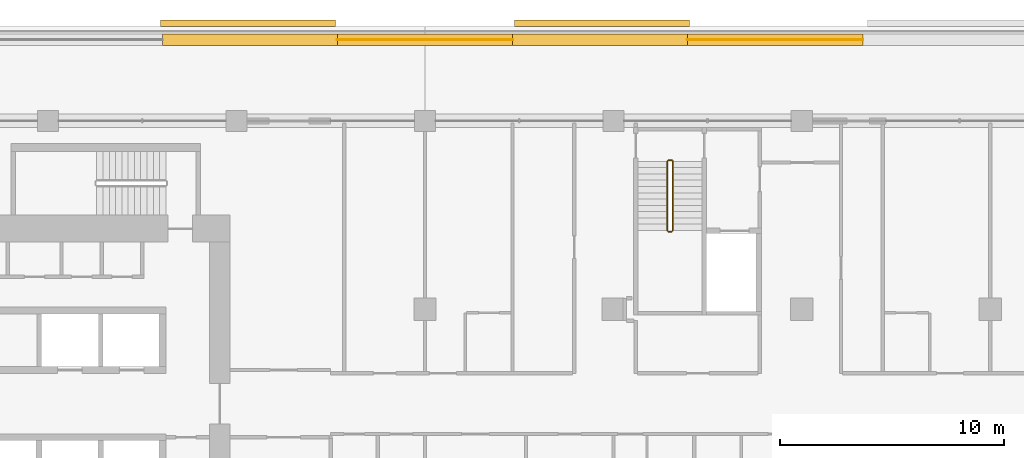
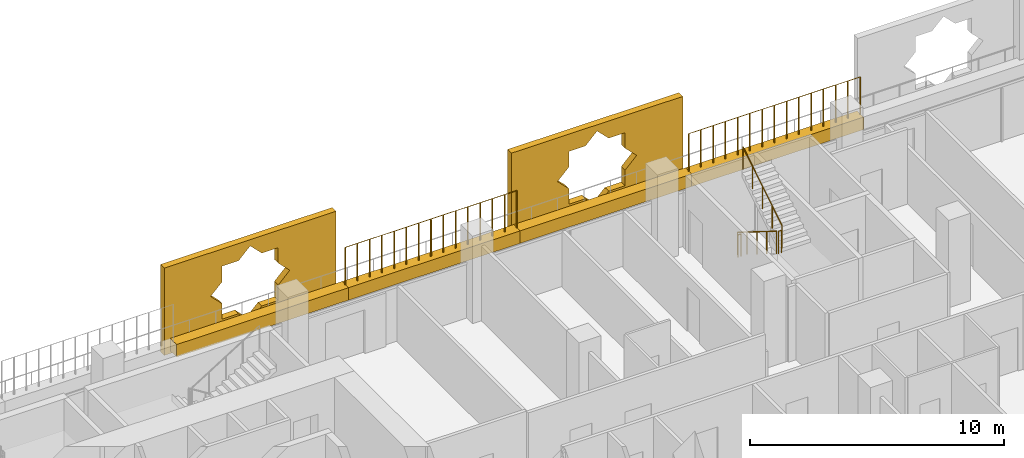
# One storey, part 21 of 22: 6 coverings, 6 railings.
"""IFC4 building model written with IfcOpenShell, lengths in metres."""

from ifc_helpers import new_model, si_unit, direction, frame, origin, origin_2d, place, context, subcontext, project, spatial, polyline, rectangle, circle, outline, extrude, material, material_profile, profile_set, type_object, element, save


model = new_model("IFC4")

# Units and contexts
model_context = context("Model", 3, precision=1e-05, world=origin(), true_north=direction((0.0, 1.0)))
body_context = subcontext(model_context, "Body", "Model", "MODEL_VIEW")
ifc_project = project(units=[si_unit("LENGTHUNIT", "METRE"), si_unit("AREAUNIT", "SQUARE_METRE"), si_unit("VOLUMEUNIT", "CUBIC_METRE"), si_unit("PLANEANGLEUNIT", "RADIAN"), si_unit("MASSUNIT", "GRAM", prefix="KILO")], contexts=[model_context])

# Site, building, storey
site_placement = place(None, origin())
site = spatial("IfcSite", under=ifc_project, at=site_placement, CompositionType="ELEMENT")
building_placement = place(site_placement, origin())
building = spatial("IfcBuilding", under=site, at=building_placement, Name="Kawkab Arch Medical Tower", CompositionType="ELEMENT")
storey_placement = place(building_placement, frame((0.0, 0.0, 196.199951171875)))
storey = spatial("IfcBuildingStorey", under=building, at=storey_placement, Name="L45", CompositionType="ELEMENT", Elevation=196.199951171875)

# Coverings
ifc_material_1 = material(Name="Bronze anodised aluminium mashrabiya panel, eight-point star pattern", Category="aluminium")
ifc_material_profile_1 = material_profile(ifc_material_1, outline(polyline([(-3.89990234375, -2.10009765625), (3.89990234375, -2.10009765625), (3.89990234375, 2.10009765625), (-3.89990234375, 2.10009765625), (-3.89990234375, -2.10009765625)]), holes=[polyline([(1.800048828125, 0.0), (1.272705078125, 0.527099609375), (1.272705078125, 1.272705078125), (0.527099609375, 1.272705078125), (0.0, 1.800048828125), (-0.527099609375, 1.272705078125), (-1.272705078125, 1.272705078125), (-1.272705078125, 0.527099609375), (-1.800048828125, 0.0), (-1.272705078125, -0.527099609375), (-1.272705078125, -1.272705078125), (-0.527099609375, -1.272705078125), (0.0, -1.800048828125), (0.527099609375, -1.272705078125), (1.272705078125, -1.272705078125), (1.272705078125, -0.527099609375), (1.800048828125, 0.0)])]), Name="Mashrabiya panel 7800x4200")
ifc_profile_set_1 = profile_set([ifc_material_profile_1], Name="Bronze anodised aluminium mashrabiya panel, eight-point star pattern")
covering_type_1 = type_object("IfcCoveringType", Name="Mashrabiya panel 7800 x 4200", PredefinedType="USERDEFINED", material=ifc_profile_set_1)
for number, where, z_axis, x_axis, name in (
    (1, (25.7158203125, 4.199951171875, 1.699951171875), (0.0, 1.0, 0.0), (-1.0, 0.0, 0.0), "Mashrabiya panel L45.LOG-01-01.6"),
    (2, (41.484375, 4.199951171875, 1.699951171875), (0.0, 1.0, 0.0), (-1.0, 0.0, 0.0), "Mashrabiya panel L45.LOG-01-01.7"),
):
    element("IfcCovering", number, at=place(storey_placement, frame(where, z_axis=z_axis, x_axis=x_axis)), inside=storey, type_object=covering_type_1, Name=name, ObjectType="SCREEN", PredefinedType="USERDEFINED", context=body_context, shape_type="SweptSolid", body=[
        extrude(outline(polyline([(-3.89990234375, -2.10009765625), (3.89990234375, -2.10009765625), (3.89990234375, 2.10009765625), (-3.89990234375, 2.10009765625), (-3.89990234375, -2.10009765625)]), holes=[polyline([(1.800048828125, 0.0), (1.272705078125, 0.527099609375), (1.272705078125, 1.272705078125), (0.527099609375, 1.272705078125), (0.0, 1.800048828125), (-0.527099609375, 1.272705078125), (-1.272705078125, 1.272705078125), (-1.272705078125, 0.527099609375), (-1.800048828125, 0.0), (-1.272705078125, -0.527099609375), (-1.272705078125, -1.272705078125), (-0.527099609375, -1.272705078125), (0.0, -1.800048828125), (0.527099609375, -1.272705078125), (1.272705078125, -1.272705078125), (1.272705078125, -0.527099609375), (1.800048828125, 0.0)])]), origin(), (0.0, 0.0, 1.0), 0.300048828125),
    ])
ifc_material_2 = material(Name="Planting soil in a precast trough", Category="concrete")
ifc_material_profile_2 = material_profile(ifc_material_2, rectangle(XDim=0.5, YDim=0.60009765625, at=origin_2d()), Name="Trough 500x600")
ifc_profile_set_2 = profile_set([ifc_material_profile_2], Name="Planting soil in a precast trough")
covering_type_2 = type_object("IfcCoveringType", Name="Planter trough 500 x 600", PredefinedType="USERDEFINED", material=ifc_profile_set_2)
covering_1_placement = place(storey_placement, frame((21.89306640625, 3.6201171875, 0.300048828125), z_axis=(1.0, 0.0, 0.0), x_axis=(0.0, 1.0, 0.0)))
element("IfcCovering", 3, at=covering_1_placement, inside=storey, type_object=covering_type_2, Name="Planter L45.LOG-01-01.20", ObjectType="PLANTER", PredefinedType="USERDEFINED", context=body_context, shape_type="SweptSolid", body=[
    extrude(rectangle(XDim=0.5, YDim=0.60009765625, at=origin_2d()), origin(), (0.0, 0.0, 1.0), 7.804931640625),
])
covering_2_placement = place(storey_placement, frame((29.697998046875, 3.6201171875, 0.300048828125), z_axis=(1.0, 0.0, 0.0), x_axis=(0.0, 1.0, 0.0)))
element("IfcCovering", 4, at=covering_2_placement, inside=storey, type_object=covering_type_2, Name="Planter L45.LOG-01-01.21", ObjectType="PLANTER", PredefinedType="USERDEFINED", context=body_context, shape_type="SweptSolid", body=[
    extrude(rectangle(XDim=0.5, YDim=0.60009765625, at=origin_2d()), origin(), (0.0, 0.0, 1.0), 7.803955078125),
])
covering_3_placement = place(storey_placement, frame((37.501953125, 3.6201171875, 0.300048828125), z_axis=(1.0, 0.0, 0.0), x_axis=(0.0, 1.0, 0.0)))
element("IfcCovering", 5, at=covering_3_placement, inside=storey, type_object=covering_type_2, Name="Planter L45.LOG-01-01.22", ObjectType="PLANTER", PredefinedType="USERDEFINED", context=body_context, shape_type="SweptSolid", body=[
    extrude(rectangle(XDim=0.5, YDim=0.60009765625, at=origin_2d()), origin(), (0.0, 0.0, 1.0), 7.804931640625),
])
covering_4_placement = place(storey_placement, frame((45.306884765625, 3.6201171875, 0.300048828125), z_axis=(1.0, 0.0, 0.0), x_axis=(0.0, 1.0, 0.0)))
element("IfcCovering", 6, at=covering_4_placement, inside=storey, type_object=covering_type_2, Name="Planter L45.LOG-01-01.23", ObjectType="PLANTER", PredefinedType="USERDEFINED", context=body_context, shape_type="SweptSolid", body=[
    extrude(rectangle(XDim=0.5, YDim=0.60009765625, at=origin_2d()), origin(), (0.0, 0.0, 1.0), 7.80517578125),
])

# Railings
ifc_material_3 = material(Name="Bronze anodised aluminium trellis for climbing plants", Category="aluminium")
railing_type_1 = type_object("IfcRailingType", Name="Planting trellis 2400", PredefinedType="USERDEFINED", material=ifc_material_3)
railing_1_placement = place(storey_placement, frame((29.697998046875, 3.6201171875, 0.0)))
element("IfcRailing", 7, at=railing_1_placement, inside=storey, type_object=railing_type_1, Name="Planting trellis L45.LOG-01-01.21", ObjectType="TRELLIS", PredefinedType="USERDEFINED", context=body_context, shape_type="SweptSolid", body=[
    extrude(circle(Radius=0.01513671875, at=origin_2d()), frame((0.0, 0.0, 2.384765625), z_axis=(1.0, 0.0, 0.0), x_axis=(0.0, 1.0, 0.0)), (0.0, 0.0, 1.0), 7.803955078125),
    extrude(circle(Radius=0.030029296875, at=origin_2d()), origin(), (0.0, 0.0, 1.0), 2.369873046875),
    extrude(circle(Radius=0.030029296875, at=origin_2d()), frame((0.557373046875, 0.0, 0.0)), (0.0, 0.0, 1.0), 2.369873046875),
    extrude(circle(Radius=0.030029296875, at=origin_2d()), frame((1.11474609375, 0.0, 0.0)), (0.0, 0.0, 1.0), 2.369873046875),
    extrude(circle(Radius=0.030029296875, at=origin_2d()), frame((1.67236328125, 0.0, 0.0)), (0.0, 0.0, 1.0), 2.369873046875),
    extrude(circle(Radius=0.030029296875, at=origin_2d()), frame((2.229736328125, 0.0, 0.0)), (0.0, 0.0, 1.0), 2.369873046875),
    extrude(circle(Radius=0.030029296875, at=origin_2d()), frame((2.787109375, 0.0, 0.0)), (0.0, 0.0, 1.0), 2.369873046875),
    extrude(circle(Radius=0.030029296875, at=origin_2d()), frame((3.344482421875, 0.0, 0.0)), (0.0, 0.0, 1.0), 2.369873046875),
    extrude(circle(Radius=0.030029296875, at=origin_2d()), frame((3.90185546875, 0.0, 0.0)), (0.0, 0.0, 1.0), 2.369873046875),
    extrude(circle(Radius=0.030029296875, at=origin_2d()), frame((4.45947265625, 0.0, 0.0)), (0.0, 0.0, 1.0), 2.369873046875),
    extrude(circle(Radius=0.030029296875, at=origin_2d()), frame((5.016845703125, 0.0, 0.0)), (0.0, 0.0, 1.0), 2.369873046875),
    extrude(circle(Radius=0.030029296875, at=origin_2d()), frame((5.57421875, 0.0, 0.0)), (0.0, 0.0, 1.0), 2.369873046875),
    extrude(circle(Radius=0.030029296875, at=origin_2d()), frame((6.131591796875, 0.0, 0.0)), (0.0, 0.0, 1.0), 2.369873046875),
    extrude(circle(Radius=0.030029296875, at=origin_2d()), frame((6.689208984375, 0.0, 0.0)), (0.0, 0.0, 1.0), 2.369873046875),
    extrude(circle(Radius=0.030029296875, at=origin_2d()), frame((7.24658203125, 0.0, 0.0)), (0.0, 0.0, 1.0), 2.369873046875),
    extrude(circle(Radius=0.030029296875, at=origin_2d()), frame((7.803955078125, 0.0, 0.0)), (0.0, 0.0, 1.0), 2.369873046875),
])
railing_2_placement = place(storey_placement, frame((45.306884765625, 3.6201171875, 0.0)))
element("IfcRailing", 8, at=railing_2_placement, inside=storey, type_object=railing_type_1, Name="Planting trellis L45.LOG-01-01.23", ObjectType="TRELLIS", PredefinedType="USERDEFINED", context=body_context, shape_type="SweptSolid", body=[
    extrude(circle(Radius=0.01513671875, at=origin_2d()), frame((0.0, 0.0, 2.384765625), z_axis=(1.0, 0.0, 0.0), x_axis=(0.0, 1.0, 0.0)), (0.0, 0.0, 1.0), 7.80517578125),
    extrude(circle(Radius=0.030029296875, at=origin_2d()), origin(), (0.0, 0.0, 1.0), 2.369873046875),
    extrude(circle(Radius=0.030029296875, at=origin_2d()), frame((0.5576171875, 0.0, 0.0)), (0.0, 0.0, 1.0), 2.369873046875),
    extrude(circle(Radius=0.030029296875, at=origin_2d()), frame((1.114990234375, 0.0, 0.0)), (0.0, 0.0, 1.0), 2.369873046875),
    extrude(circle(Radius=0.030029296875, at=origin_2d()), frame((1.672607421875, 0.0, 0.0)), (0.0, 0.0, 1.0), 2.369873046875),
    extrude(circle(Radius=0.030029296875, at=origin_2d()), frame((2.22998046875, 0.0, 0.0)), (0.0, 0.0, 1.0), 2.369873046875),
    extrude(circle(Radius=0.030029296875, at=origin_2d()), frame((2.78759765625, 0.0, 0.0)), (0.0, 0.0, 1.0), 2.369873046875),
    extrude(circle(Radius=0.030029296875, at=origin_2d()), frame((3.344970703125, 0.0, 0.0)), (0.0, 0.0, 1.0), 2.369873046875),
    extrude(circle(Radius=0.030029296875, at=origin_2d()), frame((3.902587890625, 0.0, 0.0)), (0.0, 0.0, 1.0), 2.369873046875),
    extrude(circle(Radius=0.030029296875, at=origin_2d()), frame((4.460205078125, 0.0, 0.0)), (0.0, 0.0, 1.0), 2.369873046875),
    extrude(circle(Radius=0.030029296875, at=origin_2d()), frame((5.017578125, 0.0, 0.0)), (0.0, 0.0, 1.0), 2.369873046875),
    extrude(circle(Radius=0.030029296875, at=origin_2d()), frame((5.5751953125, 0.0, 0.0)), (0.0, 0.0, 1.0), 2.369873046875),
    extrude(circle(Radius=0.030029296875, at=origin_2d()), frame((6.132568359375, 0.0, 0.0)), (0.0, 0.0, 1.0), 2.369873046875),
    extrude(circle(Radius=0.030029296875, at=origin_2d()), frame((6.690185546875, 0.0, 0.0)), (0.0, 0.0, 1.0), 2.369873046875),
    extrude(circle(Radius=0.030029296875, at=origin_2d()), frame((7.24755859375, 0.0, 0.0)), (0.0, 0.0, 1.0), 2.369873046875),
    extrude(circle(Radius=0.030029296875, at=origin_2d()), frame((7.80517578125, 0.0, 0.0)), (0.0, 0.0, 1.0), 2.369873046875),
])
ifc_material_4 = material(Name="Stainless steel", Category="steel")
railing_type_2 = type_object("IfcRailingType", Name="Stair guard 1100", PredefinedType="GUARDRAIL", material=ifc_material_4)
railing_3_placement = place(storey_placement, frame((44.39990234375, -1.800048828125, 0.175048828125)))
element("IfcRailing", 9, at=railing_3_placement, inside=storey, type_object=railing_type_2, Name="L45 ST5 stair guard 1", PredefinedType="GUARDRAIL", context=body_context, shape_type="SweptSolid", body=[
    extrude(circle(Radius=0.02392578125, at=origin_2d()), frame((0.0, 0.0, 1.076171875), z_axis=(0.0, -0.847979421464, 0.530029150871), x_axis=(1.0, 0.0, 0.0)), (0.0, 0.0, 1.0), 3.632080078125),
    extrude(circle(Radius=0.02099609375, at=origin_2d()), origin(), (0.0, 0.0, 1.0), 1.052001953125),
    extrude(circle(Radius=0.02099609375, at=origin_2d()), frame((0.0, -0.77001953125, 0.481201171875)), (0.0, 0.0, 1.0), 1.052001953125),
    extrude(circle(Radius=0.02099609375, at=origin_2d()), frame((0.0, -1.5400390625, 0.96240234375)), (0.0, 0.0, 1.0), 1.052001953125),
    extrude(circle(Radius=0.02099609375, at=origin_2d()), frame((0.0, -2.309814453125, 1.44384765625)), (0.0, 0.0, 1.0), 1.052001953125),
    extrude(circle(Radius=0.02099609375, at=origin_2d()), frame((0.0, -3.079833984375, 1.925048828125)), (0.0, 0.0, 1.0), 1.052001953125),
])
railing_4_placement = place(storey_placement, frame((44.449951171875, -4.929931640625, 2.10009765625)))
element("IfcRailing", 10, at=railing_4_placement, inside=storey, type_object=railing_type_2, Name="L45 ST5 stair guard 2", PredefinedType="GUARDRAIL", context=body_context, shape_type="SweptSolid", body=[
    extrude(circle(Radius=0.02392578125, at=origin_2d()), frame((0.0, 0.0, 1.076171875), z_axis=(1.0, 0.0, 0.0), x_axis=(0.0, 1.0, 0.0)), (0.0, 0.0, 1.0), 0.150146484375),
    extrude(circle(Radius=0.02099609375, at=origin_2d()), origin(), (0.0, 0.0, 1.0), 1.052001953125),
    extrude(circle(Radius=0.02099609375, at=origin_2d()), frame((0.150146484375, 0.0, 0.0)), (0.0, 0.0, 1.0), 1.052001953125),
])
railing_5_placement = place(storey_placement, frame((44.64990234375, -4.8798828125, 2.275146484375)))
element("IfcRailing", 11, at=railing_5_placement, inside=storey, type_object=railing_type_2, Name="L45 ST5 stair guard 3", PredefinedType="GUARDRAIL", context=body_context, shape_type="SweptSolid", body=[
    extrude(circle(Radius=0.02392578125, at=origin_2d()), frame((0.0, 0.0, 1.076171875), z_axis=(0.0, 0.848009633417, 0.529980812513), x_axis=(-1.0, 0.0, 0.0)), (0.0, 0.0, 1.0), 3.6318359375),
    extrude(circle(Radius=0.02099609375, at=origin_2d()), origin(), (0.0, 0.0, 1.0), 1.052001953125),
    extrude(circle(Radius=0.02099609375, at=origin_2d()), frame((0.0, 0.77001953125, 0.481201171875)), (0.0, 0.0, 1.0), 1.052001953125),
    extrude(circle(Radius=0.02099609375, at=origin_2d()), frame((0.0, 1.5400390625, 0.96240234375)), (0.0, 0.0, 1.0), 1.052001953125),
    extrude(circle(Radius=0.02099609375, at=origin_2d()), frame((0.0, 2.309814453125, 1.443603515625)), (0.0, 0.0, 1.0), 1.052001953125),
    extrude(circle(Radius=0.02099609375, at=origin_2d()), frame((0.0, 3.079833984375, 1.9248046875)), (0.0, 0.0, 1.0), 1.052001953125),
])
railing_6_placement = place(storey_placement, frame((44.449951171875, -1.75, 0.0)))
element("IfcRailing", 12, at=railing_6_placement, inside=storey, type_object=railing_type_2, Name="L45 ST5 stair guard 4", PredefinedType="GUARDRAIL", context=body_context, shape_type="SweptSolid", body=[
    extrude(circle(Radius=0.02392578125, at=origin_2d()), frame((0.0, 0.0, 1.076171875), z_axis=(1.0, 0.0, 0.0), x_axis=(0.0, 1.0, 0.0)), (0.0, 0.0, 1.0), 0.150146484375),
    extrude(circle(Radius=0.02099609375, at=origin_2d()), origin(), (0.0, 0.0, 1.0), 1.052001953125),
    extrude(circle(Radius=0.02099609375, at=origin_2d()), frame((0.150146484375, 0.0, 0.0)), (0.0, 0.0, 1.0), 1.052001953125),
])

save(model, "model.ifc")
